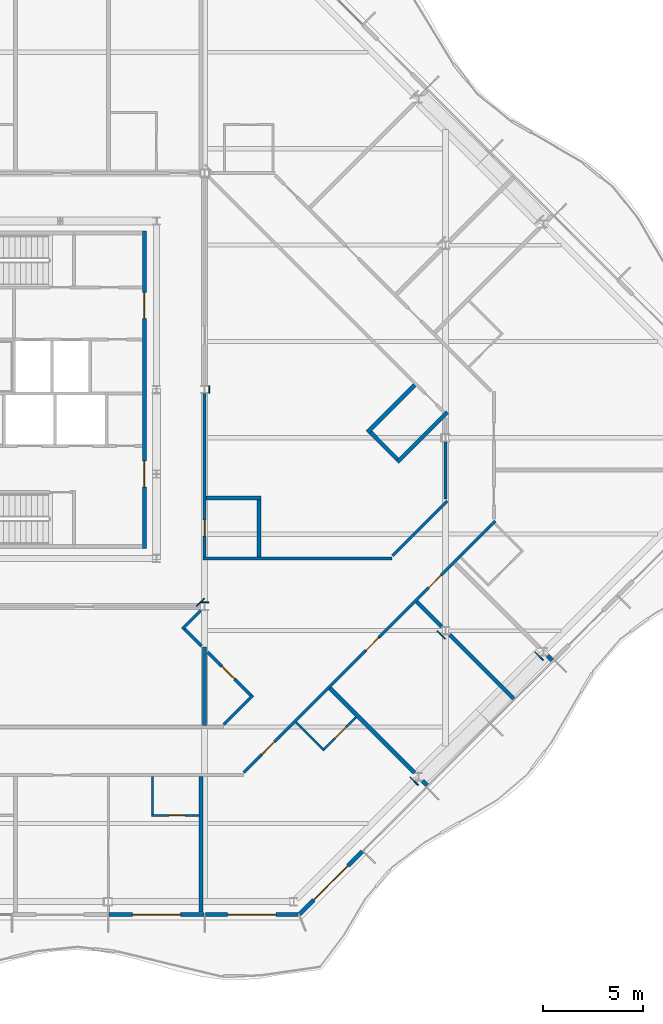
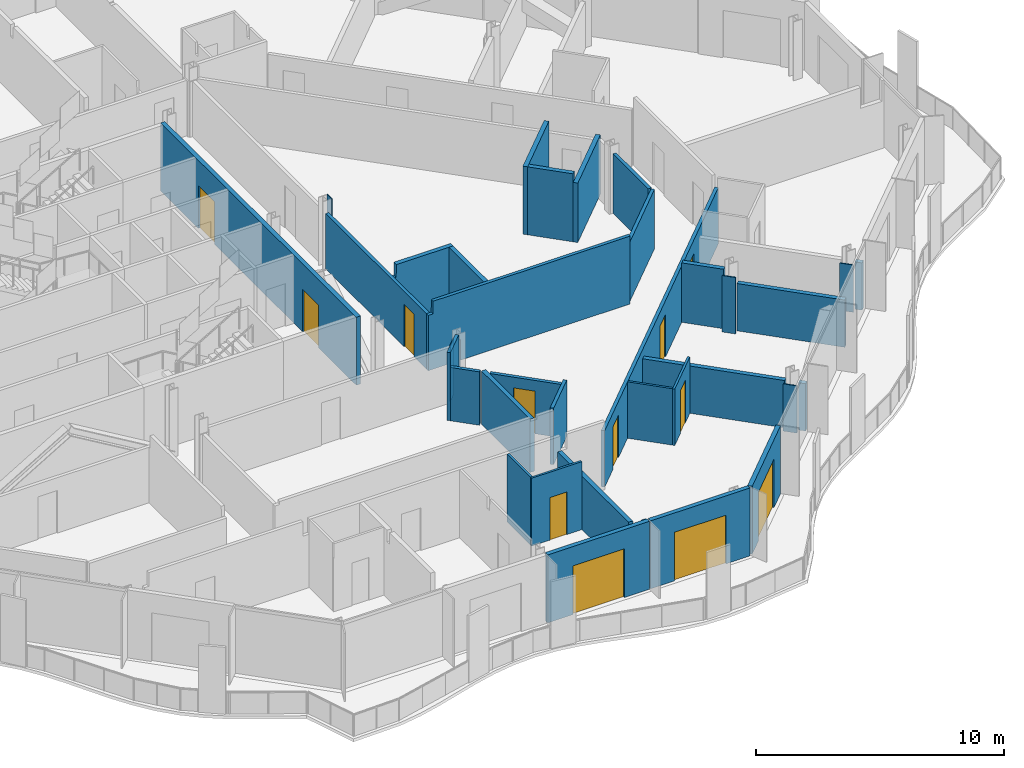
# One storey, part 9 of 17: 35 walls, 12 doors, 12 openings.
"""IFC4 building model written with IfcOpenShell, lengths in metres."""

from ifc_helpers import new_model, si_unit, direction, frame, frame_2d, origin, place, context, subcontext, project, spatial, polyline, rectangle, outline, extrude, material, layer, layer_set, type_object, element, fill, save


model = new_model("IFC4")

# Units and contexts
model_context = context("Model", 3, precision=1e-05, world=origin(), true_north=direction((0.0, 1.0)))
body_context = subcontext(model_context, "Body", "Model", "MODEL_VIEW")
ifc_project = project(units=[si_unit("LENGTHUNIT", "METRE"), si_unit("AREAUNIT", "SQUARE_METRE"), si_unit("VOLUMEUNIT", "CUBIC_METRE"), si_unit("PLANEANGLEUNIT", "RADIAN"), si_unit("MASSUNIT", "GRAM", prefix="KILO")], contexts=[model_context])

# Site, building, storey
site_placement = place(None, origin())
site = spatial("IfcSite", under=ifc_project, at=site_placement, CompositionType="ELEMENT")
building_placement = place(site_placement, origin())
building = spatial("IfcBuilding", under=site, at=building_placement, Name="Cairn Pilgrim Tower", CompositionType="ELEMENT")
storey_placement = place(building_placement, frame((0.0, 0.0, 257.39990234375)))
storey = spatial("IfcBuildingStorey", under=building, at=storey_placement, Name="L66", CompositionType="ELEMENT", Elevation=257.39990234375)

# Wall, opening, door
ifc_material_1 = material(Name="Bronze anodised aluminium insulated sandwich panel with mineral wool fill", Category="aluminium")
ifc_layer_1 = layer(ifc_material_1, 0.199951171875)
ifc_layer_set_1 = layer_set([ifc_layer_1], Name="BRONZE INFILL FRAME WALL 200")
wall_type_1 = type_object("IfcWallType", Name="BRONZE INFILL FRAME WALL 200", PredefinedType="NOTDEFINED", material=ifc_layer_set_1)
wall_1_placement = place(storey_placement, frame((14.429931640625, -23.75, 0.0), z_axis=(0.0, 0.0, 1.0), x_axis=(1.0, 0.0, 0.0)))
wall_1 = element("IfcWall", 1, at=wall_1_placement, inside=storey, type_object=wall_type_1, Name="Bronze infill frame wall IW-S3", PredefinedType="NOTDEFINED", context=body_context, shape_type="SweptSolid", body=[
    extrude(rectangle(XDim=4.739990234375, YDim=0.199951171875, at=frame_2d((2.3701171875, 0.0))), origin(), (0.0, 0.0, 1.0), 3.35009765625),
])
opening_1_placement = place(wall_1_placement, frame((1.169921875, 0.0, 0.0)))
opening_1 = element("IfcOpeningElement", 2, at=opening_1_placement, cuts=wall_1, Name="Opening 6615SB", PredefinedType="OPENING", context=body_context, shape_type="SweptSolid", body=[
    extrude(rectangle(XDim=2.39990234375, YDim=2.39990234375, at=frame_2d((1.199951171875, 1.199951171875))), frame((0.0, 0.10986328125, 0.0), z_axis=(0.0, -1.0, 0.0), x_axis=(1.0, 0.0, 0.0)), (0.0, 0.0, 1.0), 0.219970703125),
])
ifc_material_2 = material(Name="Bronze anodised aluminium frame with tinted low-E glass", Category="aluminium")
door_type_1 = type_object("IfcDoorType", Name="BALCONY SLIDING DOOR 2400x2400", OperationType="DOUBLE_DOOR_SLIDING", PredefinedType="DOOR", material=ifc_material_2)
door_1_placement = place(opening_1_placement, origin())
door_1 = element("IfcDoor", 3, at=door_1_placement, inside=storey, type_object=door_type_1, Name="Balcony sliding door 6615SB", OperationType="SINGLE_SWING_LEFT", OverallHeight=2.39990234375, OverallWidth=2.39990234375, PredefinedType="DOOR", context=body_context, shape_type="SweptSolid", body=[
    extrude(rectangle(XDim=2.39990234375, YDim=2.39990234375, at=frame_2d((1.199951171875, 1.199951171875))), frame((0.0, 0.02490234375, 0.0), z_axis=(0.0, -1.0, 0.0), x_axis=(1.0, 0.0, 0.0)), (0.0, 0.0, 1.0), 0.050048828125),
])
fill(opening_1, door_1)

wall_2_placement = place(storey_placement, frame((19.22998046875, -23.75, 0.0), z_axis=(0.0, 0.0, 1.0), x_axis=(1.0, 0.0, 0.0)))
wall_2 = element("IfcWall", 4, at=wall_2_placement, inside=storey, type_object=wall_type_1, Name="Bronze infill frame wall IW-S4", PredefinedType="NOTDEFINED", context=body_context, shape_type="SweptSolid", body=[
    extrude(rectangle(XDim=4.62646484375, YDim=0.199951171875, at=frame_2d((2.313232421875, 0.0))), origin(), (0.0, 0.0, 1.0), 3.35009765625),
])
opening_2_placement = place(wall_2_placement, frame((1.11865234375, 0.0, 0.0)))
opening_2 = element("IfcOpeningElement", 5, at=opening_2_placement, cuts=wall_2, Name="Opening 6601B", PredefinedType="OPENING", context=body_context, shape_type="SweptSolid", body=[
    extrude(rectangle(XDim=2.39990234375, YDim=2.39990234375, at=frame_2d((1.199951171875, 1.199951171875))), frame((0.0, 0.10986328125, 0.0), z_axis=(0.0, -1.0, 0.0), x_axis=(1.0, 0.0, 0.0)), (0.0, 0.0, 1.0), 0.219970703125),
])
door_2_placement = place(opening_2_placement, origin())
door_2 = element("IfcDoor", 6, at=door_2_placement, inside=storey, type_object=door_type_1, Name="Balcony sliding door 6601B", OperationType="SINGLE_SWING_LEFT", OverallHeight=2.39990234375, OverallWidth=2.39990234375, PredefinedType="DOOR", context=body_context, shape_type="SweptSolid", body=[
    extrude(rectangle(XDim=2.39990234375, YDim=2.39990234375, at=frame_2d((1.199951171875, 1.199951171875))), frame((0.0, 0.02490234375, 0.0), z_axis=(0.0, -1.0, 0.0), x_axis=(1.0, 0.0, 0.0)), (0.0, 0.0, 1.0), 0.050048828125),
])
fill(opening_2, door_2)

wall_3_placement = place(storey_placement, frame((23.9248046875, -23.7216796875, 0.0), z_axis=(0.0, 0.0, 1.0), x_axis=(0.707106781187, 0.707106781187, 0.0)))
wall_3 = element("IfcWall", 7, at=wall_3_placement, inside=storey, type_object=wall_type_1, Name="Bronze infill frame wall IW-SE1", PredefinedType="NOTDEFINED", context=body_context, shape_type="SweptSolid", body=[
    extrude(rectangle(XDim=4.4208984375, YDim=0.199951171875, at=frame_2d((2.21044921875, 0.0))), origin(), (0.0, 0.0, 1.0), 3.35009765625),
])
opening_3_placement = place(wall_3_placement, frame((1.00537109375, 0.0, 0.0)))
opening_3 = element("IfcOpeningElement", 8, at=opening_3_placement, cuts=wall_3, Name="Opening 6601B2", PredefinedType="OPENING", context=body_context, shape_type="SweptSolid", body=[
    extrude(rectangle(XDim=2.39990234375, YDim=2.39990234375, at=frame_2d((1.199951171875, 1.199951171875))), frame((0.0, 0.10986328125, 0.0), z_axis=(0.0, -1.0, 0.0), x_axis=(1.0, 0.0, 0.0)), (0.0, 0.0, 1.0), 0.219970703125),
])
door_3_placement = place(opening_3_placement, origin())
door_3 = element("IfcDoor", 9, at=door_3_placement, inside=storey, type_object=door_type_1, Name="Balcony sliding door 6601B2", OperationType="SINGLE_SWING_LEFT", OverallHeight=2.39990234375, OverallWidth=2.39990234375, PredefinedType="DOOR", context=body_context, shape_type="SweptSolid", body=[
    extrude(rectangle(XDim=2.39990234375, YDim=2.39990234375, at=frame_2d((1.199951171875, 1.199951171875))), frame((0.0, 0.02490234375, 0.0), z_axis=(0.0, -1.0, 0.0), x_axis=(1.0, 0.0, 0.0)), (0.0, 0.0, 1.0), 0.050048828125),
])
fill(opening_3, door_3)

# Wall, openings, doors
ifc_material_3 = material(Name="Concrete C32/40", Category="concrete")
ifc_layer_2 = layer(ifc_material_3, 0.199951171875)
ifc_layer_set_2 = layer_set([ifc_layer_2], Name="CORE OUTER WALL 200 EI 120")
wall_type_2 = type_object("IfcWallType", Name="CORE OUTER WALL 200 EI 120", PredefinedType="SOLIDWALL", material=ifc_layer_set_2)
wall_4_placement = place(storey_placement, frame((16.199951171875, -5.5, 0.0), z_axis=(0.0, 0.0, 1.0), x_axis=(0.0, 1.0, 0.0)))
wall_4 = element("IfcWall", 10, at=wall_4_placement, inside=storey, type_object=wall_type_2, Name="CW:L66:V30", PredefinedType="SOLIDWALL", context=body_context, shape_type="SweptSolid", body=[
    extrude(rectangle(XDim=15.800048828125, YDim=0.199951171875, at=frame_2d((7.89990234375, 0.0))), origin(), (0.0, 0.0, 1.0), 3.35009765625),
])
opening_4_placement = place(wall_4_placement, frame((3.050048828125, 0.0, 0.0)))
opening_4 = element("IfcOpeningElement", 11, at=opening_4_placement, cuts=wall_4, Name="Opening CD-E1", PredefinedType="OPENING", context=body_context, shape_type="SweptSolid", body=[
    extrude(rectangle(XDim=1.300048828125, YDim=2.10009765625, at=frame_2d((0.64990234375, 1.050048828125))), frame((0.0, 0.10986328125, 0.0), z_axis=(0.0, -1.0, 0.0), x_axis=(1.0, 0.0, 0.0)), (0.0, 0.0, 1.0), 0.219970703125),
])
opening_5_placement = place(wall_4_placement, frame((11.449951171875, 0.0, 0.0)))
opening_5 = element("IfcOpeningElement", 12, at=opening_5_placement, cuts=wall_4, Name="Opening CD-E2", PredefinedType="OPENING", context=body_context, shape_type="SweptSolid", body=[
    extrude(rectangle(XDim=1.300048828125, YDim=2.10009765625, at=frame_2d((0.64990234375, 1.050048828125))), frame((0.0, 0.10986328125, 0.0), z_axis=(0.0, -1.0, 0.0), x_axis=(1.0, 0.0, 0.0)), (0.0, 0.0, 1.0), 0.219970703125),
])
ifc_material_4 = material(Name="Painted steel", Category="steel")
door_type_2 = type_object("IfcDoorType", Name="CORE LOBBY DOOR 1300x2100", OperationType="DOUBLE_DOOR_SINGLE_SWING", PredefinedType="DOOR", material=ifc_material_4)
door_4_placement = place(opening_4_placement, origin())
door_4 = element("IfcDoor", 13, at=door_4_placement, inside=storey, type_object=door_type_2, Name="CD-E1", OperationType="DOUBLE_DOOR_SINGLE_SWING", OverallHeight=2.10009765625, OverallWidth=1.300048828125, PredefinedType="DOOR", context=body_context, shape_type="SweptSolid", body=[
    extrude(rectangle(XDim=1.300048828125, YDim=2.10009765625, at=frame_2d((0.64990234375, 1.050048828125))), frame((0.0, 0.02490234375, 0.0), z_axis=(0.0, -1.0, 0.0), x_axis=(1.0, 0.0, 0.0)), (0.0, 0.0, 1.0), 0.050048828125),
])
fill(opening_4, door_4)
door_5_placement = place(opening_5_placement, origin())
door_5 = element("IfcDoor", 14, at=door_5_placement, inside=storey, type_object=door_type_2, Name="CD-E2", OperationType="DOUBLE_DOOR_SINGLE_SWING", OverallHeight=2.10009765625, OverallWidth=1.300048828125, PredefinedType="DOOR", context=body_context, shape_type="SweptSolid", body=[
    extrude(rectangle(XDim=1.300048828125, YDim=2.10009765625, at=frame_2d((0.64990234375, 1.050048828125))), frame((0.0, 0.02490234375, 0.0), z_axis=(0.0, -1.0, 0.0), x_axis=(1.0, 0.0, 0.0)), (0.0, 0.0, 1.0), 0.050048828125),
])
fill(opening_5, door_5)

# Wall, opening, door
ifc_material_5 = material(Name="Gypsum partition")
ifc_layer_3 = layer(ifc_material_5, 0.10009765625)
ifc_layer_set_3 = layer_set([ifc_layer_3], Name="PARTITION 100 DRYWALL")
wall_type_3 = type_object("IfcWallType", Name="PARTITION 100 DRYWALL", PredefinedType="PARTITIONING", material=ifc_layer_set_3)
wall_5_placement = place(storey_placement, frame((16.56396484375, -18.800048828125, 0.0), z_axis=(0.0, 0.0, 1.0), x_axis=(1.0, 0.0, 0.0)))
wall_5 = element("IfcWall", 15, at=wall_5_placement, inside=storey, type_object=wall_type_3, Name="PARTITION W007", PredefinedType="PARTITIONING", context=body_context, shape_type="SweptSolid", body=[
    extrude(rectangle(XDim=2.35009765625, YDim=0.10009765625, at=frame_2d((1.175048828125, 0.0))), origin(), (0.0, 0.0, 1.0), 3.35009765625),
])
opening_6_placement = place(wall_5_placement, frame((0.85009765625, 0.0, 0.0)))
opening_6 = element("IfcOpeningElement", 16, at=opening_6_placement, cuts=wall_5, Name="Opening 6615A", PredefinedType="OPENING", context=body_context, shape_type="SweptSolid", body=[
    extrude(rectangle(XDim=0.800048828125, YDim=2.10009765625, at=frame_2d((0.39990234375, 1.050048828125))), frame((0.0, 0.06005859375, 0.0), z_axis=(0.0, -1.0, 0.0), x_axis=(1.0, 0.0, 0.0)), (0.0, 0.0, 1.0), 0.1201171875),
])
ifc_material_6 = material(Name="Timber door leaf", Category="wood")
door_type_3 = type_object("IfcDoorType", Name="WC DOOR 800x2100", OperationType="NOTDEFINED", PredefinedType="DOOR", material=ifc_material_6)
door_6_placement = place(opening_6_placement, frame((0.800048828125, 0.0, 0.0), z_axis=(0.0, 0.0, 1.0), x_axis=(-1.0, 0.0, 0.0)))
door_6 = element("IfcDoor", 17, at=door_6_placement, inside=storey, type_object=door_type_3, Name="DOOR 6615A", OperationType="SINGLE_SWING_LEFT", OverallHeight=2.10009765625, OverallWidth=0.800048828125, PredefinedType="DOOR", context=body_context, shape_type="SweptSolid", body=[
    extrude(rectangle(XDim=0.800048828125, YDim=2.10009765625, at=frame_2d((0.39990234375, 1.050048828125))), frame((0.0, 0.02490234375, 0.0), z_axis=(0.0, -1.0, 0.0), x_axis=(1.0, 0.0, 0.0)), (0.0, 0.0, 1.0), 0.050048828125),
])
fill(opening_6, door_6)

# Wall
wall_6_placement = place(storey_placement, frame((16.614013671875, -18.75, 0.0), z_axis=(0.0, 0.0, 1.0), x_axis=(0.0, 1.0, 0.0)))
element("IfcWall", 18, at=wall_6_placement, inside=storey, type_object=wall_type_3, Name="PARTITION W008", PredefinedType="PARTITIONING", context=body_context, shape_type="SweptSolid", body=[
    extrude(rectangle(XDim=1.875, YDim=0.10009765625, at=frame_2d((0.9375, 0.0))), origin(), (0.0, 0.0, 1.0), 3.35009765625),
])

# Wall, opening, door
wall_7_placement = place(storey_placement, frame((25.07861328125, -15.5673828125, 0.0), z_axis=(0.0, 0.0, 1.0), x_axis=(0.707106781187, 0.707106781187, 0.0)))
wall_7 = element("IfcWall", 19, at=wall_7_placement, inside=storey, type_object=wall_type_3, Name="PARTITION W014", PredefinedType="PARTITIONING", context=body_context, shape_type="SweptSolid", body=[
    extrude(rectangle(XDim=2.349853515625, YDim=0.10009765625, at=frame_2d((1.1748046875, 0.0))), origin(), (0.0, 0.0, 1.0), 2.780029296875),
])
opening_7_placement = place(wall_7_placement, frame((0.85009765625, 0.0, 0.0)))
opening_7 = element("IfcOpeningElement", 20, at=opening_7_placement, cuts=wall_7, Name="Opening 6601A", PredefinedType="OPENING", context=body_context, shape_type="SweptSolid", body=[
    extrude(rectangle(XDim=0.800048828125, YDim=2.10009765625, at=frame_2d((0.39990234375, 1.050048828125))), frame((0.0, 0.06005859375, 0.0), z_axis=(0.0, -1.0, 0.0), x_axis=(1.0, 0.0, 0.0)), (0.0, 0.0, 1.0), 0.1201171875),
])
door_7_placement = place(opening_7_placement, frame((0.800048828125, 0.0, 0.0), z_axis=(0.0, 0.0, 1.0), x_axis=(-1.0, 0.0, 0.0)))
door_7 = element("IfcDoor", 21, at=door_7_placement, inside=storey, type_object=door_type_3, Name="DOOR 6601A", OperationType="SINGLE_SWING_RIGHT", OverallHeight=2.10009765625, OverallWidth=0.800048828125, PredefinedType="DOOR", context=body_context, shape_type="SweptSolid", body=[
    extrude(rectangle(XDim=0.800048828125, YDim=2.10009765625, at=frame_2d((0.39990234375, 1.050048828125))), frame((0.0, 0.02490234375, 0.0), z_axis=(0.0, -1.0, 0.0), x_axis=(1.0, 0.0, 0.0)), (0.0, 0.0, 1.0), 0.050048828125),
])
fill(opening_7, door_7)

# Wall
wall_8_placement = place(storey_placement, frame((25.07861328125, -15.49658203125, 0.0), z_axis=(0.0, 0.0, 1.0), x_axis=(-0.707106781187, 0.707106781187, 0.0)))
element("IfcWall", 22, at=wall_8_placement, inside=storey, type_object=wall_type_3, Name="PARTITION W015", PredefinedType="PARTITIONING", context=body_context, shape_type="SweptSolid", body=[
    extrude(rectangle(XDim=1.874755859375, YDim=0.10009765625, at=frame_2d((0.9375, 0.0))), origin(), (0.0, 0.0, 1.0), 2.780029296875),
])

# Wall, openings, doors
ifc_layer_4 = layer(ifc_material_5, 0.14990234375)
ifc_layer_set_4 = layer_set([ifc_layer_4], Name="PARTITION 150 DRYWALL EI 60")
wall_type_4 = type_object("IfcWallType", Name="PARTITION 150 DRYWALL EI 60", PredefinedType="PARTITIONING", material=ifc_layer_set_4)
wall_9_placement = place(storey_placement, frame((21.14599609375, -16.672119140625, 0.0), z_axis=(0.0, 0.0, 1.0), x_axis=(0.707106781187, 0.707106781187, 0.0)))
wall_9 = element("IfcWall", 23, at=wall_9_placement, inside=storey, type_object=wall_type_4, Name="PARTITION W012", PredefinedType="PARTITIONING", context=body_context, shape_type="SweptSolid", body=[
    extrude(rectangle(XDim=17.71875, YDim=0.14990234375, at=frame_2d((8.859375, 0.0))), origin(), (0.0, 0.0, 1.0), 2.780029296875),
])
opening_8_placement = place(wall_9_placement, frame((1.265869140625, 0.0, 0.0)))
opening_8 = element("IfcOpeningElement", 24, at=opening_8_placement, cuts=wall_9, Name="Opening 6601", PredefinedType="OPENING", context=body_context, shape_type="SweptSolid", body=[
    extrude(rectangle(XDim=0.89990234375, YDim=2.10009765625, at=frame_2d((0.449951171875, 1.050048828125))), frame((0.0, 0.0849609375, 0.0), z_axis=(0.0, -1.0, 0.0), x_axis=(1.0, 0.0, 0.0)), (0.0, 0.0, 1.0), 0.169921875),
])
opening_9_placement = place(wall_9_placement, frame((8.61083984375, 0.0, 0.0)))
opening_9 = element("IfcOpeningElement", 25, at=opening_9_placement, cuts=wall_9, Name="Opening 6602", PredefinedType="OPENING", context=body_context, shape_type="SweptSolid", body=[
    extrude(rectangle(XDim=0.89990234375, YDim=2.10009765625, at=frame_2d((0.449951171875, 1.050048828125))), frame((0.0, 0.0849609375, 0.0), z_axis=(0.0, -1.0, 0.0), x_axis=(1.0, 0.0, 0.0)), (0.0, 0.0, 1.0), 0.169921875),
])
opening_10_placement = place(wall_9_placement, frame((13.01171875, 0.0, 0.0)))
opening_10 = element("IfcOpeningElement", 26, at=opening_10_placement, cuts=wall_9, Name="Opening 6603", PredefinedType="OPENING", context=body_context, shape_type="SweptSolid", body=[
    extrude(rectangle(XDim=0.89990234375, YDim=2.10009765625, at=frame_2d((0.449951171875, 1.050048828125))), frame((0.0, 0.0849609375, 0.0), z_axis=(0.0, -1.0, 0.0), x_axis=(1.0, 0.0, 0.0)), (0.0, 0.0, 1.0), 0.169921875),
])
door_type_4 = type_object("IfcDoorType", Name="ROOM DOOR 900x2100 FD30S", OperationType="NOTDEFINED", PredefinedType="DOOR", material=ifc_material_6)
door_8_placement = place(opening_8_placement, frame((0.89990234375, 0.0, 0.0), z_axis=(0.0, 0.0, 1.0), x_axis=(-1.0, 0.0, 0.0)))
door_8 = element("IfcDoor", 27, at=door_8_placement, inside=storey, type_object=door_type_4, Name="DOOR 6601", OperationType="SINGLE_SWING_RIGHT", OverallHeight=2.10009765625, OverallWidth=0.89990234375, PredefinedType="DOOR", context=body_context, shape_type="SweptSolid", body=[
    extrude(rectangle(XDim=0.89990234375, YDim=2.10009765625, at=frame_2d((0.449951171875, 1.050048828125))), frame((0.0, 0.02490234375, 0.0), z_axis=(0.0, -1.0, 0.0), x_axis=(1.0, 0.0, 0.0)), (0.0, 0.0, 1.0), 0.050048828125),
])
fill(opening_8, door_8)
door_type_5 = type_object("IfcDoorType", Name="SERVICE DOOR 900x2100 FD30S", OperationType="NOTDEFINED", PredefinedType="DOOR", material=ifc_material_6)
door_9_placement = place(opening_9_placement, frame((0.89990234375, 0.0, 0.0), z_axis=(0.0, 0.0, 1.0), x_axis=(-1.0, 0.0, 0.0)))
door_9 = element("IfcDoor", 28, at=door_9_placement, inside=storey, type_object=door_type_5, Name="DOOR 6602", OperationType="SINGLE_SWING_RIGHT", OverallHeight=2.10009765625, OverallWidth=0.89990234375, PredefinedType="DOOR", context=body_context, shape_type="SweptSolid", body=[
    extrude(rectangle(XDim=0.89990234375, YDim=2.10009765625, at=frame_2d((0.449951171875, 1.050048828125))), frame((0.0, 0.02490234375, 0.0), z_axis=(0.0, -1.0, 0.0), x_axis=(1.0, 0.0, 0.0)), (0.0, 0.0, 1.0), 0.050048828125),
])
fill(opening_9, door_9)
door_10_placement = place(opening_10_placement, frame((0.89990234375, 0.0, 0.0), z_axis=(0.0, 0.0, 1.0), x_axis=(-1.0, 0.0, 0.0)))
door_10 = element("IfcDoor", 29, at=door_10_placement, inside=storey, type_object=door_type_5, Name="DOOR 6603", OperationType="SINGLE_SWING_RIGHT", OverallHeight=2.10009765625, OverallWidth=0.89990234375, PredefinedType="DOOR", context=body_context, shape_type="SweptSolid", body=[
    extrude(rectangle(XDim=0.89990234375, YDim=2.10009765625, at=frame_2d((0.449951171875, 1.050048828125))), frame((0.0, 0.02490234375, 0.0), z_axis=(0.0, -1.0, 0.0), x_axis=(1.0, 0.0, 0.0)), (0.0, 0.0, 1.0), 0.050048828125),
])
fill(opening_10, door_10)

# Wall
wall_10_placement = place(storey_placement, frame((20.15087890625, -14.27197265625, 0.0), z_axis=(0.0, 0.0, 1.0), x_axis=(0.707106781187, 0.707106781187, 0.0)))
element("IfcWall", 30, at=wall_10_placement, inside=storey, type_object=wall_type_4, Name="PARTITION W022", PredefinedType="PARTITIONING", context=body_context, shape_type="SweptSolid", body=[
    extrude(rectangle(XDim=2.054931640625, YDim=0.14990234375, at=frame_2d((1.02734375, 0.0))), origin(), (0.0, 0.0, 1.0), 2.780029296875),
])

# Wall, opening, door
wall_11_placement = place(storey_placement, frame((21.498046875, -12.819091796875, 0.0), z_axis=(0.0, 0.0, 1.0), x_axis=(-0.707106781187, 0.707106781187, 0.0)))
wall_11 = element("IfcWall", 31, at=wall_11_placement, inside=storey, type_object=wall_type_4, Name="PARTITION W025", PredefinedType="PARTITIONING", context=body_context, shape_type="SweptSolid", body=[
    extrude(rectangle(XDim=3.033447265625, YDim=0.14990234375, at=frame_2d((1.5166015625, 0.0))), origin(), (0.0, 0.0, 1.0), 2.630126953125),
])
opening_11_placement = place(wall_11_placement, frame((1.136962890625, 0.0, 0.0)))
opening_11 = element("IfcOpeningElement", 32, at=opening_11_placement, cuts=wall_11, Name="Opening 6618", PredefinedType="OPENING", context=body_context, shape_type="SweptSolid", body=[
    extrude(rectangle(XDim=0.89990234375, YDim=2.10009765625, at=frame_2d((0.449951171875, 1.050048828125))), frame((0.0, 0.0849609375, 0.0), z_axis=(0.0, -1.0, 0.0), x_axis=(1.0, 0.0, 0.0)), (0.0, 0.0, 1.0), 0.169921875),
])
door_11_placement = place(opening_11_placement, origin())
door_11 = element("IfcDoor", 33, at=door_11_placement, inside=storey, type_object=door_type_5, Name="DOOR 6618", OperationType="SINGLE_SWING_LEFT", OverallHeight=2.10009765625, OverallWidth=0.89990234375, PredefinedType="DOOR", context=body_context, shape_type="SweptSolid", body=[
    extrude(rectangle(XDim=0.89990234375, YDim=2.10009765625, at=frame_2d((0.449951171875, 1.050048828125))), frame((0.0, 0.02490234375, 0.0), z_axis=(0.0, -1.0, 0.0), x_axis=(1.0, 0.0, 0.0)), (0.0, 0.0, 1.0), 0.050048828125),
])
fill(opening_11, door_11)

# Walls
wall_12_placement = place(storey_placement, frame((19.047119140625, -10.3681640625, 0.0), z_axis=(0.0, 0.0, 1.0), x_axis=(-0.707409718716, 0.706803713817, 0.0)))
element("IfcWall", 34, at=wall_12_placement, inside=storey, type_object=wall_type_4, Name="PARTITION W028", PredefinedType="PARTITIONING", context=body_context, shape_type="SweptSolid", body=[
    extrude(rectangle(XDim=1.20849609375, YDim=0.14990234375, at=frame_2d((0.604248046875, 0.0))), origin(), (0.0, 0.0, 1.0), 2.630126953125),
])
wall_13_placement = place(storey_placement, frame((18.0859375, -9.513916015625, 0.0), z_axis=(0.0, 0.0, 1.0), x_axis=(0.707200419109, 0.707013130862, 0.0)))
element("IfcWall", 35, at=wall_13_placement, inside=storey, type_object=wall_type_4, Name="PARTITION W030", PredefinedType="PARTITIONING", context=body_context, shape_type="SweptSolid", body=[
    extrude(rectangle(XDim=1.303466796875, YDim=0.14990234375, at=frame_2d((0.65185546875, 0.0))), origin(), (0.0, 0.0, 1.0), 3.35009765625),
])
wall_14_placement = place(storey_placement, frame((19.125, -6.0, 0.0), z_axis=(0.0, 0.0, 1.0), x_axis=(1.0, 0.0, 0.0)))
element("IfcWall", 36, at=wall_14_placement, inside=storey, type_object=wall_type_4, Name="PARTITION W037", PredefinedType="PARTITIONING", context=body_context, shape_type="SweptSolid", body=[
    extrude(outline(polyline([(0.0, 0.0), (9.405029296875, 0.0), (9.405029296875, 3.35009765625), (0.22509765625, 3.35009765625), (0.222900390625, 2.72998046875), (0.0, 2.72998046875), (0.0, 0.0)])), frame((0.0, 0.074951171875, 0.0), z_axis=(0.0, -1.0, 0.0), x_axis=(1.0, 0.0, 0.0)), (0.0, 0.0, 1.0), 0.14990234375),
])

# Wall, opening, door
wall_15_placement = place(storey_placement, frame((19.199951171875, -5.925048828125, 0.0), z_axis=(0.0, 0.0, 1.0), x_axis=(0.0, 1.0, 0.0)))
wall_15 = element("IfcWall", 37, at=wall_15_placement, inside=storey, type_object=wall_type_4, Name="PARTITION W040", PredefinedType="PARTITIONING", context=body_context, shape_type="SweptSolid", body=[
    extrude(rectangle(XDim=8.137451171875, YDim=0.14990234375, at=frame_2d((4.06884765625, 0.0))), origin(), (0.0, 0.0, 1.0), 2.72998046875),
])
opening_12_placement = place(wall_15_placement, frame((1.02490234375, 0.0, 0.0)))
opening_12 = element("IfcOpeningElement", 38, at=opening_12_placement, cuts=wall_15, Name="Opening 6616", PredefinedType="OPENING", context=body_context, shape_type="SweptSolid", body=[
    extrude(rectangle(XDim=0.800048828125, YDim=2.10009765625, at=frame_2d((0.39990234375, 1.050048828125))), frame((0.0, 0.0849609375, 0.0), z_axis=(0.0, -1.0, 0.0), x_axis=(1.0, 0.0, 0.0)), (0.0, 0.0, 1.0), 0.169921875),
])
door_type_6 = type_object("IfcDoorType", Name="WC DOOR 800x2100 FD30S", OperationType="NOTDEFINED", PredefinedType="DOOR", material=ifc_material_6)
door_12_placement = place(opening_12_placement, frame((0.800048828125, 0.0, 0.0), z_axis=(0.0, 0.0, 1.0), x_axis=(-1.0, 0.0, 0.0)))
door_12 = element("IfcDoor", 39, at=door_12_placement, inside=storey, type_object=door_type_6, Name="DOOR 6616", OperationType="SINGLE_SWING_LEFT", OverallHeight=2.10009765625, OverallWidth=0.800048828125, PredefinedType="DOOR", context=body_context, shape_type="SweptSolid", body=[
    extrude(rectangle(XDim=0.800048828125, YDim=2.10009765625, at=frame_2d((0.39990234375, 1.050048828125))), frame((0.0, 0.02490234375, 0.0), z_axis=(0.0, -1.0, 0.0), x_axis=(1.0, 0.0, 0.0)), (0.0, 0.0, 1.0), 0.050048828125),
])
fill(opening_12, door_12)

# Walls
wall_16_placement = place(storey_placement, frame((28.552001953125, -5.8720703125, 0.0), z_axis=(0.0, 0.0, 1.0), x_axis=(0.707075081602, 0.70713847935, 0.0)))
element("IfcWall", 40, at=wall_16_placement, inside=storey, type_object=wall_type_4, Name="PARTITION W042", PredefinedType="PARTITIONING", context=body_context, shape_type="SweptSolid", body=[
    extrude(rectangle(XDim=3.850830078125, YDim=0.14990234375, at=frame_2d((1.92529296875, 0.0))), origin(), (0.0, 0.0, 1.0), 2.93017578125),
])
wall_17_placement = place(storey_placement, frame((31.199951171875, -3.04296875, 0.0), z_axis=(0.0, 0.0, 1.0), x_axis=(0.0, 1.0, 0.0)))
element("IfcWall", 41, at=wall_17_placement, inside=storey, type_object=wall_type_4, Name="PARTITION W047", PredefinedType="PARTITIONING", context=body_context, shape_type="SweptSolid", body=[
    extrude(rectangle(XDim=2.846435546875, YDim=0.14990234375, at=frame_2d((1.42333984375, 0.0))), origin(), (0.0, 0.0, 1.0), 2.93017578125),
])
ifc_layer_5 = layer(ifc_material_5, 0.050048828125)
ifc_layer_set_5 = layer_set([ifc_layer_5], Name="PARTITION 50 DRYWALL EI 60")
wall_type_5 = type_object("IfcWallType", Name="PARTITION 50 DRYWALL EI 60", PredefinedType="PARTITIONING", material=ifc_layer_set_5)
wall_18_placement = place(storey_placement, frame((29.833740234375, -17.298828125, 0.0), z_axis=(0.0, 0.0, 1.0), x_axis=(-0.707106781187, 0.707106781187, 0.0)))
element("IfcWall", 42, at=wall_18_placement, inside=storey, type_object=wall_type_5, Name="COLUMN CASING WC02", PredefinedType="PARTITIONING", context=body_context, shape_type="SweptSolid", body=[
    extrude(rectangle(XDim=0.573486328125, YDim=0.050048828125, at=frame_2d((0.28662109375, 0.0))), origin(), (0.0, 0.0, 1.0), 2.330078125),
])
wall_19_placement = place(storey_placement, frame((31.182373046875, -10.013671875, 0.0), z_axis=(0.0, 0.0, 1.0), x_axis=(-0.707106781187, 0.707106781187, 0.0)))
element("IfcWall", 43, at=wall_19_placement, inside=storey, type_object=wall_type_5, Name="COLUMN CASING WC05", PredefinedType="PARTITIONING", context=body_context, shape_type="SweptSolid", body=[
    extrude(rectangle(XDim=0.56005859375, YDim=0.050048828125, at=frame_2d((0.280029296875, 0.0))), origin(), (0.0, 0.0, 1.0), 2.780029296875),
])
wall_20_placement = place(storey_placement, frame((36.05810546875, -11.07470703125, 0.0), z_axis=(0.0, 0.0, 1.0), x_axis=(-0.707106781187, 0.707106781187, 0.0)))
element("IfcWall", 44, at=wall_20_placement, inside=storey, type_object=wall_type_5, Name="COLUMN CASING WC06", PredefinedType="PARTITIONING", context=body_context, shape_type="SweptSolid", body=[
    extrude(rectangle(XDim=0.573486328125, YDim=0.050048828125, at=frame_2d((0.28662109375, 0.0))), origin(), (0.0, 0.0, 1.0), 2.330078125),
])
wall_21_placement = place(storey_placement, frame((18.7978515625, -8.38232421875, 0.0), z_axis=(0.0, 0.0, 1.0), x_axis=(0.707106781187, 0.707106781187, 0.0)))
element("IfcWall", 45, at=wall_21_placement, inside=storey, type_object=wall_type_5, Name="COLUMN CASING WC08", PredefinedType="PARTITIONING", context=body_context, shape_type="SweptSolid", body=[
    extrude(rectangle(XDim=0.543701171875, YDim=0.050048828125, at=frame_2d((0.27197265625, 0.0))), origin(), (0.0, 0.0, 1.0), 2.72998046875),
])
wall_22_placement = place(storey_placement, frame((19.0029296875, -8.1875, 0.0), z_axis=(0.0, 0.0, 1.0), x_axis=(1.0, 0.0, 0.0)))
element("IfcWall", 46, at=wall_22_placement, inside=storey, type_object=wall_type_5, Name="COLUMN CASING WC13", PredefinedType="PARTITIONING", context=body_context, shape_type="SweptSolid", body=[
    extrude(rectangle(XDim=0.39404296875, YDim=0.050048828125, at=frame_2d((0.197021484375, 0.0))), origin(), (0.0, 0.0, 1.0), 2.72998046875),
])
wall_23_placement = place(storey_placement, frame((19.422119140625, 2.21240234375, 0.0), z_axis=(0.0, 0.0, 1.0), x_axis=(0.0, 1.0, 0.0)))
element("IfcWall", 47, at=wall_23_placement, inside=storey, type_object=wall_type_5, Name="COLUMN CASING WC14", PredefinedType="PARTITIONING", context=body_context, shape_type="SweptSolid", body=[
    extrude(rectangle(XDim=0.375, YDim=0.050048828125, at=frame_2d((0.1875, 0.0))), origin(), (0.0, 0.0, 1.0), 3.35009765625),
])
ifc_layer_6 = layer(ifc_material_5, 0.199951171875)
ifc_layer_set_6 = layer_set([ifc_layer_6], Name="SHAFT WALL 200 GYPSUM EI 60")
wall_type_6 = type_object("IfcWallType", Name="SHAFT WALL 200 GYPSUM EI 60", PredefinedType="PARTITIONING", material=ifc_layer_set_6)
wall_24_placement = place(storey_placement, frame((19.013916015625, -23.6201171875, 0.0), z_axis=(0.0, 0.0, 1.0), x_axis=(0.0, 1.0, 0.0)))
element("IfcWall", 48, at=wall_24_placement, inside=storey, type_object=wall_type_6, Name="PARTITION W003", PredefinedType="PARTITIONING", context=body_context, shape_type="SweptSolid", body=[
    extrude(outline(polyline([(0.0, 0.0), (6.7451171875, 0.0), (6.7451171875, 2.630126953125), (1.02001953125, 2.630126953125), (1.01806640625, 2.330078125), (0.02001953125, 2.330078125), (0.01806640625, 3.35009765625), (0.0, 3.35009765625), (0.0, 0.0)])), frame((0.0, 0.10009765625, 0.0), z_axis=(0.0, -1.0, 0.0), x_axis=(1.0, 0.0, 0.0)), (0.0, 0.0, 1.0), 0.199951171875),
])
wall_25_placement = place(storey_placement, frame((30.268798828125, -17.292724609375, 0.0), z_axis=(0.0, 0.0, 1.0), x_axis=(-0.707509117806, 0.706704215511, 0.0)))
element("IfcWall", 49, at=wall_25_placement, inside=storey, type_object=wall_type_6, Name="PARTITION W009", PredefinedType="PARTITIONING", context=body_context, shape_type="SweptSolid", body=[
    extrude(rectangle(XDim=0.30322265625, YDim=0.199951171875, at=frame_2d((0.151611328125, 0.0))), origin(), (0.0, 0.0, 1.0), 2.330078125),
])
wall_26_placement = place(storey_placement, frame((29.64892578125, -16.6728515625, 0.0), z_axis=(0.0, 0.0, 1.0), x_axis=(-0.70712733811, 0.707086223665, 0.0)))
element("IfcWall", 50, at=wall_26_placement, inside=storey, type_object=wall_type_6, Name="PARTITION W013", PredefinedType="PARTITIONING", context=body_context, shape_type="SweptSolid", body=[
    extrude(rectangle(XDim=5.93798828125, YDim=0.199951171875, at=frame_2d((2.968994140625, 0.0))), origin(), (0.0, 0.0, 1.0), 2.330078125),
])
wall_27_placement = place(storey_placement, frame((19.199951171875, -14.324951171875, 0.0), z_axis=(0.0, 0.0, 1.0), x_axis=(0.0, 1.0, 0.0)))
element("IfcWall", 51, at=wall_27_placement, inside=storey, type_object=wall_type_6, Name="PARTITION W021", PredefinedType="PARTITIONING", context=body_context, shape_type="SweptSolid", body=[
    extrude(rectangle(XDim=3.92041015625, YDim=0.199951171875, at=frame_2d((1.960205078125, 0.0))), origin(), (0.0, 0.0, 1.0), 2.630126953125),
])
wall_28_placement = place(storey_placement, frame((34.580810546875, -12.980712890625, 0.0), z_axis=(0.0, 0.0, 1.0), x_axis=(-0.707133900936, 0.707079660397, 0.0)))
element("IfcWall", 52, at=wall_28_placement, inside=storey, type_object=wall_type_6, Name="PARTITION W024", PredefinedType="PARTITIONING", context=body_context, shape_type="SweptSolid", body=[
    extrude(rectangle(XDim=4.5009765625, YDim=0.199951171875, at=frame_2d((2.25048828125, 0.0))), origin(), (0.0, 0.0, 1.0), 2.330078125),
])
wall_29_placement = place(storey_placement, frame((36.492919921875, -11.06884765625, 0.0), z_axis=(0.0, 0.0, 1.0), x_axis=(-0.707106781187, 0.707106781187, 0.0)))
element("IfcWall", 53, at=wall_29_placement, inside=storey, type_object=wall_type_6, Name="PARTITION W026", PredefinedType="PARTITIONING", context=body_context, shape_type="SweptSolid", body=[
    extrude(rectangle(XDim=0.303466796875, YDim=0.199951171875, at=frame_2d((0.15185546875, 0.0))), origin(), (0.0, 0.0, 1.0), 2.330078125),
])
wall_30_placement = place(storey_placement, frame((31.001953125, -9.402099609375, 0.0), z_axis=(0.0, 0.0, 1.0), x_axis=(-0.707106781187, 0.707106781187, 0.0)))
element("IfcWall", 54, at=wall_30_placement, inside=storey, type_object=wall_type_6, Name="PARTITION W031", PredefinedType="PARTITIONING", context=body_context, shape_type="SweptSolid", body=[
    extrude(rectangle(XDim=1.753662109375, YDim=0.199951171875, at=frame_2d((0.876953125, 0.0))), origin(), (0.0, 0.0, 1.0), 2.93017578125),
])
wall_31_placement = place(storey_placement, frame((21.89990234375, -5.925048828125, 0.0), z_axis=(0.0, 0.0, 1.0), x_axis=(0.0, 1.0, 0.0)))
element("IfcWall", 55, at=wall_31_placement, inside=storey, type_object=wall_type_6, Name="PARTITION W041", PredefinedType="PARTITIONING", context=body_context, shape_type="SweptSolid", body=[
    extrude(rectangle(XDim=2.824951171875, YDim=0.199951171875, at=frame_2d((1.41259765625, 0.0))), origin(), (0.0, 0.0, 1.0), 3.35009765625),
])
wall_32_placement = place(storey_placement, frame((19.27490234375, -3.0, 0.0), z_axis=(0.0, 0.0, 1.0), x_axis=(1.0, 0.0, 0.0)))
element("IfcWall", 56, at=wall_32_placement, inside=storey, type_object=wall_type_6, Name="PARTITION W046", PredefinedType="PARTITIONING", context=body_context, shape_type="SweptSolid", body=[
    extrude(outline(polyline([(0.0, 0.0), (2.72509765625, 0.0), (2.72509765625, 3.35009765625), (0.074951171875, 3.35009765625), (0.072998046875, 2.72998046875), (0.0, 2.72998046875), (0.0, 0.0)])), frame((0.0, 0.10009765625, 0.0), z_axis=(0.0, -1.0, 0.0), x_axis=(1.0, 0.0, 0.0)), (0.0, 0.0, 1.0), 0.199951171875),
])
wall_33_placement = place(storey_placement, frame((28.79541015625, -1.20458984375, 0.0), z_axis=(0.0, 0.0, 1.0), x_axis=(0.707106781187, 0.707106781187, 0.0)))
element("IfcWall", 57, at=wall_33_placement, inside=storey, type_object=wall_type_6, Name="PARTITION W049", PredefinedType="PARTITIONING", context=body_context, shape_type="SweptSolid", body=[
    extrude(rectangle(XDim=3.516845703125, YDim=0.199951171875, at=frame_2d((1.75830078125, 0.0))), origin(), (0.0, 0.0, 1.0), 2.93017578125),
])
wall_34_placement = place(storey_placement, frame((28.79541015625, -1.063232421875, 0.0), z_axis=(0.0, 0.0, 1.0), x_axis=(-0.706656947409, 0.707556328979, 0.0)))
element("IfcWall", 58, at=wall_34_placement, inside=storey, type_object=wall_type_6, Name="PARTITION W050", PredefinedType="PARTITIONING", context=body_context, shape_type="SweptSolid", body=[
    extrude(rectangle(XDim=1.900146484375, YDim=0.199951171875, at=frame_2d((0.9501953125, 0.0))), origin(), (0.0, 0.0, 1.0), 3.35009765625),
])
wall_35_placement = place(storey_placement, frame((27.311279296875, 0.28125, 0.0), z_axis=(0.0, 0.0, 1.0), x_axis=(0.707106781187, 0.707106781187, 0.0)))
element("IfcWall", 59, at=wall_35_placement, inside=storey, type_object=wall_type_6, Name="PARTITION W052", PredefinedType="PARTITIONING", context=body_context, shape_type="SweptSolid", body=[
    extrude(rectangle(XDim=3.324462890625, YDim=0.199951171875, at=frame_2d((1.662109375, 0.0))), origin(), (0.0, 0.0, 1.0), 3.35009765625),
])

save(model, "model.ifc")
